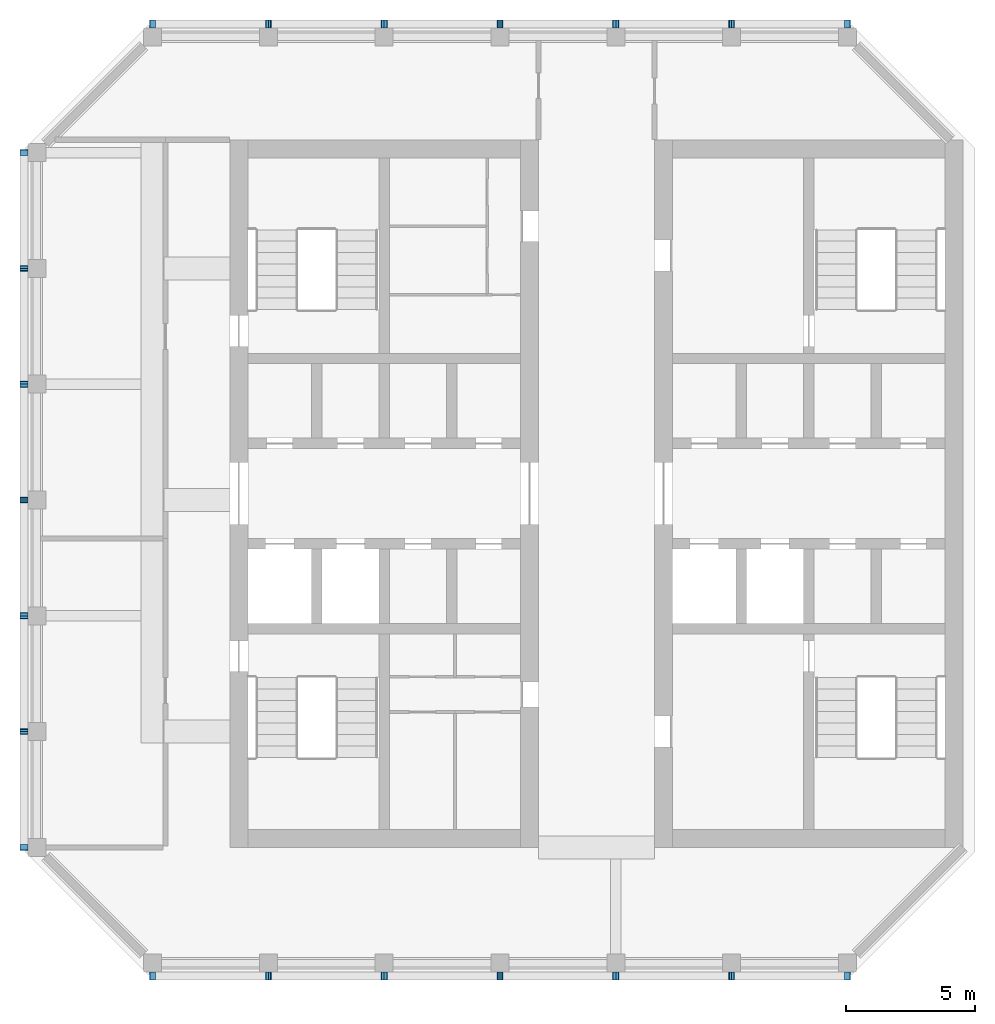
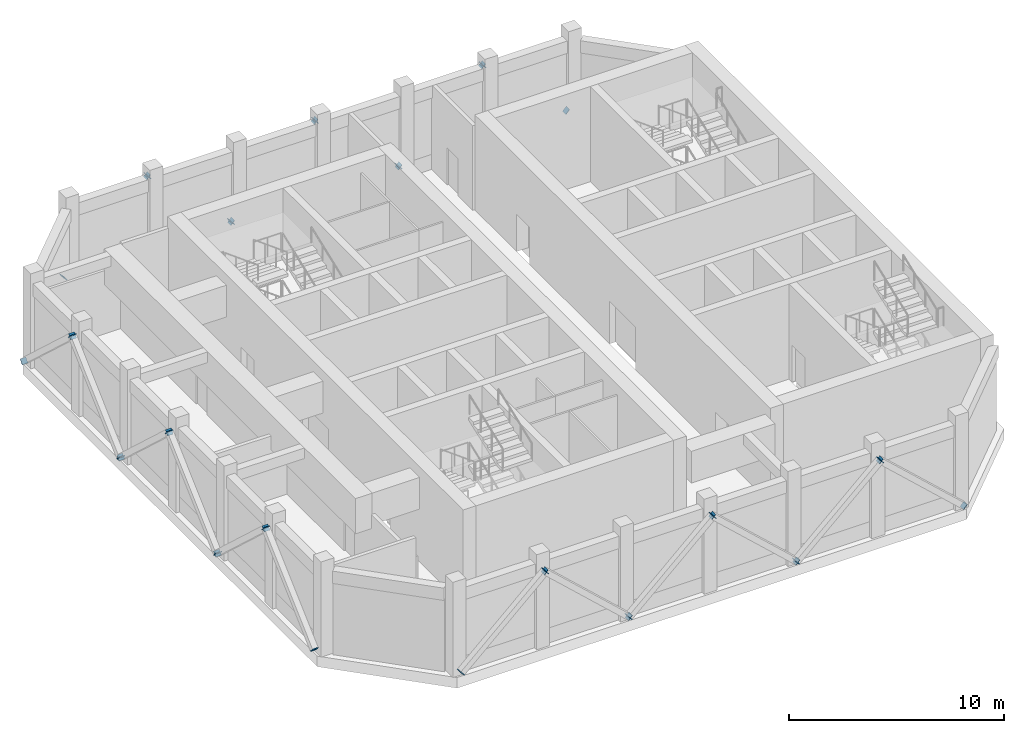
# One storey, part 5 of 7: 36 discrete accessories.
"""IFC4 building model written with IfcOpenShell, lengths in metres."""

from ifc_helpers import new_model, si_unit, direction, frame, origin, origin_2d, place, context, subcontext, project, spatial, rectangle, extrude, material, material_profile, profile_set, type_object, element, save


model = new_model("IFC4")

# Units and contexts
model_context = context("Model", 3, precision=1e-05, world=origin(), true_north=direction((0.0, 1.0)))
body_context = subcontext(model_context, "Body", "Model", "MODEL_VIEW")
ifc_project = project(units=[si_unit("LENGTHUNIT", "METRE"), si_unit("AREAUNIT", "SQUARE_METRE"), si_unit("VOLUMEUNIT", "CUBIC_METRE"), si_unit("PLANEANGLEUNIT", "RADIAN"), si_unit("MASSUNIT", "GRAM", prefix="KILO")], contexts=[model_context])

# Site, building, storey
site_placement = place(None, origin())
site = spatial("IfcSite", under=ifc_project, at=site_placement, CompositionType="ELEMENT")
building_placement = place(site_placement, origin())
building = spatial("IfcBuilding", under=site, at=building_placement, Name="Corbel Stack Research Tower", CompositionType="ELEMENT")
storey_placement = place(building_placement, frame((0.0, 0.0, 306.39990234375)))
storey = spatial("IfcBuildingStorey", under=building, at=storey_placement, Name="L69", CompositionType="ELEMENT", Elevation=306.39990234375)

# Discrete accessories
ifc_material = material(Name="Steel S355", Category="steel")
ifc_material_profile = material_profile(ifc_material, rectangle(XDim=0.304931640625, YDim=0.304931640625, at=origin_2d()), Name="End plate 305x305x25")
ifc_profile_set = profile_set([ifc_material_profile], Name="Steel S355")
discrete_accessory_type = type_object("IfcDiscreteAccessoryType", Name="End plate 305x305x25", PredefinedType="ANCHORPLATE", material=ifc_profile_set)
for number, where, z_axis, x_axis, name in (
    (1, (-13.5, -14.00244140625, 0.300048828125), (-0.735931011762, 0.0, -0.677056530821), (0.0, -1.0, 0.0), "Brace end plate L69-01a"),
    (2, (-9.0, -14.00244140625, 4.4501953125), (0.735931011762, 0.0, 0.677056530821), (0.0, 1.0, 0.0), "Brace end plate L69-01b"),
    (3, (-4.5, -14.00244140625, 0.300048828125), (0.735931011762, 0.0, -0.677056530821), (0.0, 1.0, 0.0), "Brace end plate L69-02a"),
    (4, (-9.0, -14.00244140625, 4.4501953125), (-0.735931011762, 0.0, 0.677056530821), (0.0, -1.0, 0.0), "Brace end plate L69-02b"),
    (5, (-4.5, -14.00244140625, 0.300048828125), (-0.735931011762, 0.0, -0.677056530821), (0.0, -1.0, 0.0), "Brace end plate L69-03a"),
    (6, (0.0, -14.00244140625, 4.4501953125), (0.735931011762, 0.0, 0.677056530821), (0.0, 1.0, 0.0), "Brace end plate L69-03b"),
    (7, (4.5, -14.00244140625, 0.300048828125), (0.735931011762, 0.0, -0.677056530821), (0.0, 1.0, 0.0), "Brace end plate L69-04a"),
    (8, (0.0, -14.00244140625, 4.4501953125), (-0.735931011762, 0.0, 0.677056530821), (0.0, -1.0, 0.0), "Brace end plate L69-04b"),
    (9, (4.5, -14.00244140625, 0.300048828125), (-0.735931011762, 0.0, -0.677056530821), (0.0, -1.0, 0.0), "Brace end plate L69-05a"),
    (10, (9.0, -14.00244140625, 4.4501953125), (0.735931011762, 0.0, 0.677056530821), (0.0, 1.0, 0.0), "Brace end plate L69-05b"),
    (11, (13.5, -14.00244140625, 0.300048828125), (0.735931011762, 0.0, -0.677056530821), (0.0, 1.0, 0.0), "Brace end plate L69-06a"),
    (12, (9.0, -14.00244140625, 4.4501953125), (-0.735931011762, 0.0, 0.677056530821), (0.0, -1.0, 0.0), "Brace end plate L69-06b"),
    (13, (13.5, 23.00244140625, 0.300048828125), (0.735931011762, 0.0, -0.677056530821), (0.0, 1.0, 0.0), "Brace end plate L69-07a"),
    (14, (9.0, 23.00244140625, 4.4501953125), (-0.735931011762, 0.0, 0.677056530821), (0.0, -1.0, 0.0), "Brace end plate L69-07b"),
    (15, (4.5, 23.00244140625, 0.300048828125), (-0.735931011762, 0.0, -0.677056530821), (0.0, -1.0, 0.0), "Brace end plate L69-08a"),
    (16, (9.0, 23.00244140625, 4.4501953125), (0.735931011762, 0.0, 0.677056530821), (0.0, 1.0, 0.0), "Brace end plate L69-08b"),
    (17, (4.5, 23.00244140625, 0.300048828125), (0.735931011762, 0.0, -0.677056530821), (0.0, 1.0, 0.0), "Brace end plate L69-09a"),
    (18, (0.0, 23.00244140625, 4.4501953125), (-0.735931011762, 0.0, 0.677056530821), (0.0, -1.0, 0.0), "Brace end plate L69-09b"),
    (19, (-4.5, 23.00244140625, 0.300048828125), (-0.735931011762, 0.0, -0.677056530821), (0.0, -1.0, 0.0), "Brace end plate L69-10a"),
    (20, (0.0, 23.00244140625, 4.4501953125), (0.735931011762, 0.0, 0.677056530821), (0.0, 1.0, 0.0), "Brace end plate L69-10b"),
    (21, (-4.5, 23.00244140625, 0.300048828125), (0.735931011762, 0.0, -0.677056530821), (0.0, 1.0, 0.0), "Brace end plate L69-11a"),
    (22, (-9.0, 23.00244140625, 4.4501953125), (-0.735931011762, 0.0, 0.677056530821), (0.0, -1.0, 0.0), "Brace end plate L69-11b"),
    (23, (-13.5, 23.00244140625, 0.300048828125), (-0.735931011762, 0.0, -0.677056530821), (0.0, -1.0, 0.0), "Brace end plate L69-12a"),
    (24, (-9.0, 23.00244140625, 4.4501953125), (0.735931011762, 0.0, 0.677056530821), (0.0, 1.0, 0.0), "Brace end plate L69-12b"),
    (25, (-18.50244140625, 18.0, 0.300048828125), (0.0, 0.735931011762, -0.677056530821), (-1.0, 0.0, 0.0), "Brace end plate L69-13a"),
    (26, (-18.50244140625, 13.5, 4.4501953125), (0.0, -0.735931011762, 0.677056530821), (1.0, 0.0, 0.0), "Brace end plate L69-13b"),
    (27, (-18.50244140625, 9.0, 0.300048828125), (0.0, -0.735931011762, -0.677056530821), (1.0, 0.0, 0.0), "Brace end plate L69-14a"),
    (28, (-18.50244140625, 13.5, 4.4501953125), (0.0, 0.735931011762, 0.677056530821), (-1.0, 0.0, 0.0), "Brace end plate L69-14b"),
    (29, (-18.50244140625, 9.0, 0.300048828125), (0.0, 0.735931011762, -0.677056530821), (-1.0, 0.0, 0.0), "Brace end plate L69-15a"),
    (30, (-18.50244140625, 4.5, 4.4501953125), (0.0, -0.735931011762, 0.677056530821), (1.0, 0.0, 0.0), "Brace end plate L69-15b"),
    (31, (-18.50244140625, 0.0, 0.300048828125), (0.0, -0.735931011762, -0.677056530821), (1.0, 0.0, 0.0), "Brace end plate L69-16a"),
    (32, (-18.50244140625, 4.5, 4.4501953125), (0.0, 0.735931011762, 0.677056530821), (-1.0, 0.0, 0.0), "Brace end plate L69-16b"),
    (33, (-18.50244140625, 0.0, 0.300048828125), (0.0, 0.735931011762, -0.677056530821), (-1.0, 0.0, 0.0), "Brace end plate L69-17a"),
    (34, (-18.50244140625, -4.5, 4.4501953125), (0.0, -0.735931011762, 0.677056530821), (1.0, 0.0, 0.0), "Brace end plate L69-17b"),
    (35, (-18.50244140625, -9.0, 0.300048828125), (0.0, -0.735931011762, -0.677056530821), (1.0, 0.0, 0.0), "Brace end plate L69-18a"),
    (36, (-18.50244140625, -4.5, 4.4501953125), (0.0, 0.735931011762, 0.677056530821), (-1.0, 0.0, 0.0), "Brace end plate L69-18b"),
):
    element("IfcDiscreteAccessory", number, at=place(storey_placement, frame(where, z_axis=z_axis, x_axis=x_axis)), inside=storey, type_object=discrete_accessory_type, Name=name, PredefinedType="ANCHORPLATE", context=body_context, shape_type="SweptSolid", body=[
        extrude(rectangle(XDim=0.304931640625, YDim=0.304931640625, at=origin_2d()), origin(), (0.0, 0.0, 1.0), 0.02490234375),
    ])

save(model, "model.ifc")
